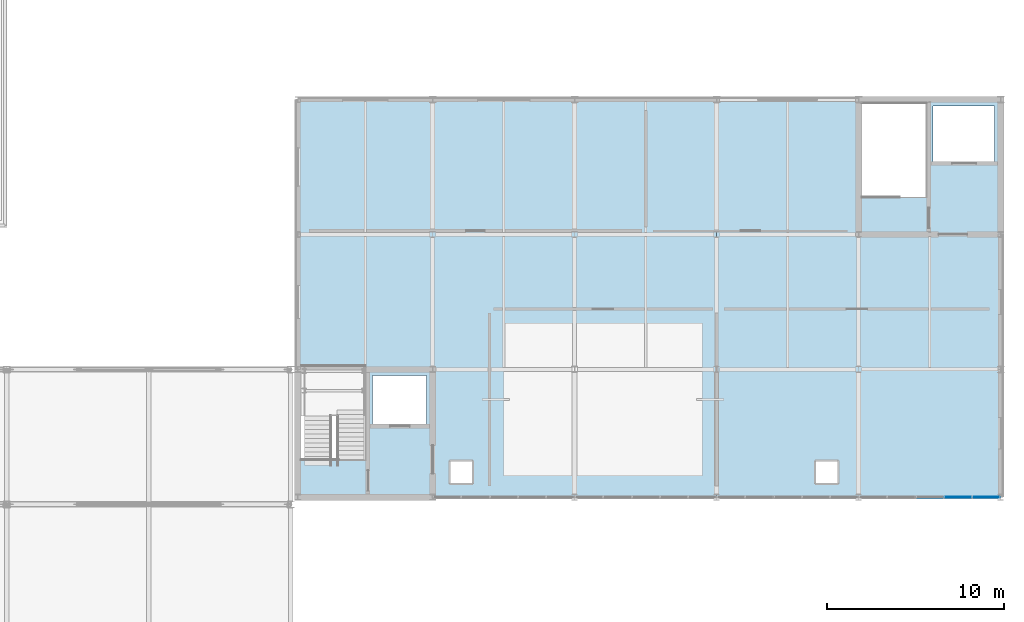
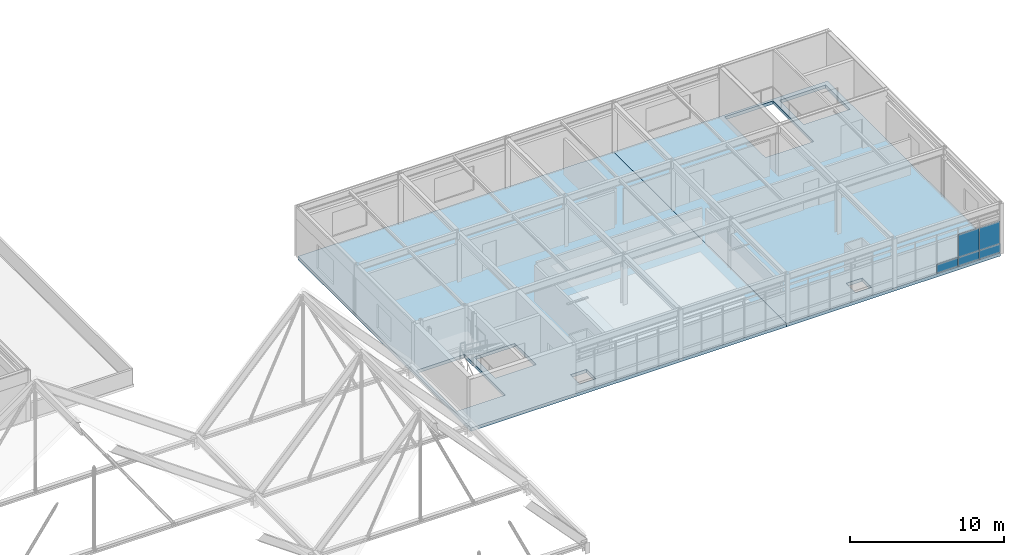
# One storey, part 63 of 85: 5 plates, 2 slabs, 1 element without a shape of its own.
"""IFC4 building model written with IfcOpenShell, lengths in metres."""

import ifcopenshell
import ifcopenshell.guid

model = None  # the IFC model being written
_history = None  # IfcOwnerHistory: only IFC2X3 demands one
_inside = {}  # id of a spatial element -> (the spatial element, [elements in it])
_under = {}  # id of a project, library or spatial element -> (it, [spatial elements below it])
_declared = {}  # id of a project -> (the project, [libraries it declares])
_typed = {}  # id of a type object -> (the type object, [elements of that type])
_made_of = {}  # id of a material, layer set ... -> (it, [elements and type objects made of it])


def new_model(schema):
    """Start an empty IFC model of exactly this schema.

    Asked for "IFC4X3", IfcOpenShell would pick the latest addendum, in which some entities
    have other attributes; the version numbers below select the first issue.
    IFC2X3 requires an IfcOwnerHistory on every rooted entity: one is made here for all.
    """
    global model, _history
    if schema == "IFC4X3":
        model = ifcopenshell.file(schema_version=(4, 3, 0, 0))
    else:
        model = ifcopenshell.file(schema=schema)
    _inside.clear()
    _under.clear()
    _declared.clear()
    _typed.clear()
    _made_of.clear()
    _history = None
    if model.schema == "IFC2X3":
        org = make("IfcOrganization", Name="unknown")
        user = make(
            "IfcPersonAndOrganization",
            ThePerson=make("IfcPerson", FamilyName="unknown"),
            TheOrganization=org,
        )
        app = make(
            "IfcApplication",
            ApplicationDeveloper=org,
            Version="unknown",
            ApplicationFullName="unknown",
            ApplicationIdentifier="unknown",
        )
        _history = make(
            "IfcOwnerHistory",
            OwningUser=user,
            OwningApplication=app,
            ChangeAction="ADDED",
            CreationDate=0,
        )
    return model


def make(cls, **values):
    """One entity of the class cls with the attributes given. An attribute that is None is left unset."""
    return model.create_entity(
        cls, **{name: value for name, value in values.items() if value is not None}
    )


def rooted(cls, **values):
    """An entity with a GlobalId (a new one), such as an element, a storey or a relation."""
    return make(cls, GlobalId=ifcopenshell.guid.new(), OwnerHistory=_history, **values)


def si_unit(unit_type, name, prefix=None):
    """IfcSIUnit, for example si_unit("LENGTHUNIT", "METRE", prefix="MILLI")."""
    return make("IfcSIUnit", UnitType=unit_type, Prefix=prefix, Name=name)


def assignment(units):
    """IfcUnitAssignment: the units of a project."""
    return None if units is None else make("IfcUnitAssignment", Units=units)


def point(xyz):
    """IfcCartesianPoint."""
    return None if xyz is None else make("IfcCartesianPoint", Coordinates=xyz)


def direction(xyz):
    """IfcDirection."""
    return None if xyz is None else make("IfcDirection", DirectionRatios=xyz)


def frame(location, z_axis=None, x_axis=None):
    """IfcAxis2Placement3D, a coordinate frame: its origin and axes. An axis left out is left unset."""
    return make(
        "IfcAxis2Placement3D",
        Location=point(location),
        Axis=direction(z_axis),
        RefDirection=direction(x_axis),
    )


def frame_2d(location, x_axis=None):
    """IfcAxis2Placement2D, a coordinate frame in the plane: its origin and x axis."""
    return make(
        "IfcAxis2Placement2D", Location=point(location), RefDirection=direction(x_axis)
    )


def origin():
    """The frame at (0, 0, 0) with its axes left unset."""
    return frame((0.0, 0.0, 0.0))


def origin_2d():
    """The frame at (0, 0) in the plane with its x axis left unset."""
    return frame_2d((0.0, 0.0))


def place(relative_to, where):
    """IfcLocalPlacement: puts the frame where relative to a parent placement (None: the world)."""
    return make(
        "IfcLocalPlacement", PlacementRelTo=relative_to, RelativePlacement=where
    )


def context(
    kind, dimensions, precision=None, world=None, true_north=None, identifier=None
):
    """IfcGeometricRepresentationContext, for example the 3D "Model" context."""
    return make(
        "IfcGeometricRepresentationContext",
        ContextIdentifier=identifier,
        ContextType=kind,
        CoordinateSpaceDimension=dimensions,
        Precision=precision,
        WorldCoordinateSystem=world,
        TrueNorth=true_north,
    )


def subcontext(parent, identifier, kind, view, scale=None):
    """IfcGeometricRepresentationSubContext, for example "Body" below "Model"."""
    return make(
        "IfcGeometricRepresentationSubContext",
        ContextIdentifier=identifier,
        ContextType=kind,
        ParentContext=parent,
        TargetScale=scale,
        TargetView=view,
    )


def project(units=None, contexts=None):
    """IfcProject with its units and contexts."""
    return rooted(
        "IfcProject",
        Name="project",
        RepresentationContexts=contexts,
        UnitsInContext=assignment(units),
    )


def spatial(cls, under=None, at=None, **own):
    """A site, building, storey or space (cls), placed at a placement, below another one or the project."""
    s = rooted(cls, ObjectPlacement=at, **own)
    if under is not None:
        _under.setdefault(under.id(), (under, []))[1].append(s)
    return s


def polyline(points):
    """IfcPolyline through the points."""
    return make("IfcPolyline", Points=[point(p) for p in points])


def profile(cls, at=None, kind="AREA", **sizes):
    """A parametric profile (cls). Its sizes go by their IFC names, for example OverallWidth=200.0."""
    return make(cls, ProfileType=kind, Position=at, **sizes)


def rectangle(**sizes):
    """IfcRectangleProfileDef."""
    return profile("IfcRectangleProfileDef", **sizes)


def outline(outer, holes=None, kind="AREA"):
    """IfcArbitraryClosedProfileDef: a profile drawn as a closed curve; with holes, ...WithVoids."""
    if holes is None:
        return make("IfcArbitraryClosedProfileDef", ProfileType=kind, OuterCurve=outer)
    return make(
        "IfcArbitraryProfileDefWithVoids",
        ProfileType=kind,
        OuterCurve=outer,
        InnerCurves=holes,
    )


def extrude(swept, where, along, depth):
    """IfcExtrudedAreaSolid: the profile swept, set in the frame where, extruded along a direction by depth."""
    return make(
        "IfcExtrudedAreaSolid",
        SweptArea=swept,
        Position=where,
        ExtrudedDirection=direction(along),
        Depth=depth,
    )


def shape(context_of_items, identifier, shape_type, items):
    """IfcShapeRepresentation: the items that make up one representation, for example the "Body"."""
    return make(
        "IfcShapeRepresentation",
        ContextOfItems=context_of_items,
        RepresentationIdentifier=identifier,
        RepresentationType=shape_type,
        Items=items,
    )


def material(Name=None, Category=None):
    """IfcMaterial."""
    return make("IfcMaterial", Name=Name, Category=Category)


def layer(
    of_material, thickness, ventilated=None, Name=None, Category=None, Priority=None
):
    """IfcMaterialLayer: one layer of a wall or slab, of a material (None: an air gap)."""
    return make(
        "IfcMaterialLayer",
        Material=of_material,
        LayerThickness=thickness,
        IsVentilated=ventilated,
        Name=Name,
        Category=Category,
        Priority=Priority,
    )


def layer_set(layers, Name=None):
    """IfcMaterialLayerSet."""
    return make("IfcMaterialLayerSet", MaterialLayers=layers, LayerSetName=Name)


def made_of(thing, what):
    """Note that an element or type object is made of a material, layer set ...; save() writes the relation."""
    if what is not None:
        _made_of.setdefault(what.id(), (what, []))[1].append(thing)
    return thing


def type_object(cls, material=None, **own):
    """A type object (cls), such as IfcWallType, which elements share."""
    return made_of(rooted(cls, **own), material)


def element(
    cls,
    number,
    at=None,
    inside=None,
    cuts=None,
    type_object=None,
    material=None,
    context=None,
    identifier="Body",
    shape_type=None,
    held_by="IfcProductDefinitionShape",
    body=None,
    shapes=None,
    **own,
):
    """One element of the class cls, such as IfcWall. Its Tag is "e" and its number.

    at: its placement. inside: the storey or other place that contains it. cuts: it is an
    opening in that element (IfcRelVoidsElement). A single representation is given by context,
    identifier, shape_type and body (its items); several are given by shapes. held_by: the class
    of the entity that holds the representations. save() writes the other relations.
    """
    e = rooted(cls, Tag="e%d" % number, ObjectPlacement=at, **own)
    if body is not None:
        shapes = [shape(context, identifier, shape_type, body)]
    if shapes is not None:
        e.Representation = make(held_by, Representations=shapes)
    if inside is not None:
        _inside.setdefault(inside.id(), (inside, []))[1].append(e)
    if cuts is not None:
        rooted(
            "IfcRelVoidsElement", RelatingBuildingElement=cuts, RelatedOpeningElement=e
        )
    if type_object is not None:
        _typed.setdefault(type_object.id(), (type_object, []))[1].append(e)
    return made_of(e, material)


def aggregate(whole, parts):
    """IfcRelAggregates: a whole, such as a stair, and the parts it consists of."""
    return rooted("IfcRelAggregates", RelatingObject=whole, RelatedObjects=parts)


def save(model, path):
    """Write the relations noted so far, then the file.

    IfcRelAggregates (storeys below a building ...), IfcRelContainedInSpatialStructure (elements
    in a storey), IfcRelDefinesByType, IfcRelAssociatesMaterial and IfcRelDeclares: one each for
    every whole, place, type object, material and project.
    """
    for whole, parts in _under.values():
        aggregate(whole, parts)
    for where, things in _inside.values():
        rooted(
            "IfcRelContainedInSpatialStructure",
            RelatedElements=things,
            RelatingStructure=where,
        )
    for kind, things in _typed.values():
        rooted("IfcRelDefinesByType", RelatedObjects=things, RelatingType=kind)
    for what, things in _made_of.values():
        rooted("IfcRelAssociatesMaterial", RelatedObjects=things, RelatingMaterial=what)
    for by, libraries in _declared.values():
        rooted("IfcRelDeclares", RelatingContext=by, RelatedDefinitions=libraries)
    model.write(path)


model = new_model("IFC4")

# Units and contexts
model_context = context("Model", 3, precision=1e-05, world=origin(), true_north=direction((0.0, 1.0)))
body_context = subcontext(model_context, "Body", "Model", "MODEL_VIEW")
ifc_project = project(units=[si_unit("LENGTHUNIT", "METRE"), si_unit("AREAUNIT", "SQUARE_METRE"), si_unit("VOLUMEUNIT", "CUBIC_METRE"), si_unit("PLANEANGLEUNIT", "RADIAN"), si_unit("MASSUNIT", "GRAM", prefix="KILO")], contexts=[model_context])

# Site, building, storey
site_placement = place(None, origin())
site = spatial("IfcSite", under=ifc_project, at=site_placement, CompositionType="ELEMENT")
building_placement = place(site_placement, origin())
building = spatial("IfcBuilding", under=site, at=building_placement, Name="Zulena Civic Courthouse", CompositionType="ELEMENT")
storey_placement = place(building_placement, frame((0.0, 0.0, 25.199951171875)))
storey = spatial("IfcBuildingStorey", under=building, at=storey_placement, Name="L05", CompositionType="ELEMENT", Elevation=25.199951171875)

# Slabs
ifc_material_1 = material(Name="Concrete C35/45", Category="concrete")
ifc_layer_1 = layer(ifc_material_1, 0.2548828125)
ifc_layer_set_1 = layer_set([ifc_layer_1], Name="Concrete C35/45")
slab_type = type_object("IfcSlabType", Name="ArchiveSlab_255", PredefinedType="FLOOR", material=ifc_layer_set_1)
slab_1_placement = place(storey_placement, frame((0.0, 0.0, -0.2548828125)))
element("IfcSlab", 1, at=slab_1_placement, inside=storey, type_object=slab_type, Name="slab:V3:L05_1", PredefinedType="FLOOR", context=body_context, shape_type="SweptSolid", body=[
    extrude(outline(polyline([(124.39990234375, 30.800048828125), (124.39990234375, 53.199951171875), (148.0, 53.199951171875), (148.0, 30.800048828125), (124.39990234375, 30.800048828125)]), holes=[polyline([(124.590087890625, 38.2099609375), (124.590087890625, 32.919921875), (128.2099609375, 32.919921875), (128.2099609375, 38.2099609375), (124.590087890625, 38.2099609375)]), polyline([(131.64990234375, 37.64990234375), (128.60009765625, 37.64990234375), (128.60009765625, 34.89990234375), (131.64990234375, 34.89990234375), (131.64990234375, 37.64990234375)]), polyline([(133.0, 32.800048828125), (133.0, 31.60009765625), (134.199951171875, 31.60009765625), (134.199951171875, 32.800048828125), (133.0, 32.800048828125)])]), origin(), (0.0, 0.0, 1.0), 0.2548828125),
])
slab_2_placement = place(storey_placement, frame((0.0, 0.0, -0.2548828125)))
element("IfcSlab", 2, at=slab_2_placement, inside=storey, type_object=slab_type, Name="slab:V3:L05_2", PredefinedType="FLOOR", context=body_context, shape_type="SweptSolid", body=[
    extrude(outline(polyline([(164.0, 30.800048828125), (148.0, 30.800048828125), (148.0, 53.199951171875), (164.0, 53.199951171875), (164.0, 30.800048828125)]), holes=[polyline([(159.81005859375, 47.719970703125), (159.81005859375, 53.010009765625), (156.18994140625, 53.010009765625), (156.18994140625, 47.719970703125), (159.81005859375, 47.719970703125)]), polyline([(160.199951171875, 49.699951171875), (163.64990234375, 49.699951171875), (163.64990234375, 52.85009765625), (160.199951171875, 52.85009765625), (160.199951171875, 49.699951171875)]), polyline([(154.800048828125, 32.800048828125), (153.60009765625, 32.800048828125), (153.60009765625, 31.60009765625), (154.800048828125, 31.60009765625), (154.800048828125, 32.800048828125)])]), origin(), (0.0, 0.0, 1.0), 0.2548828125),
])

# Curtain wall, plates
ifc_material_2 = material(Name="Double-silver low-E laminated solar-control glass", Category="glass")
curtain_wall_type = type_object("IfcCurtainWallType", Name="CW_7964x3090", PredefinedType="USERDEFINED", material=ifc_material_2)
curtain_wall_placement = place(storey_placement, origin())
curtain_wall = element("IfcCurtainWall", 3, at=curtain_wall_placement, inside=storey, type_object=curtain_wall_type, Name="cw:V3:L05:3:0", ObjectType="UNITISED CURTAIN WALL", PredefinedType="USERDEFINED")
ifc_material_3 = material(Name="Ceramic-fritted insulated spandrel glass", Category="glass")
ifc_layer_2 = layer(ifc_material_3, 0.0458984375)
ifc_layer_set_2 = layer_set([ifc_layer_2], Name="Ceramic-fritted insulated spandrel glass")
plate_type_1 = type_object("IfcPlateType", Name="CWPanel_Spandrel_46", PredefinedType="CURTAIN_PANEL", material=ifc_layer_set_2)
plate_1_placement = place(storey_placement, frame((163.185546875, 30.800048828125, 0.070068359375), z_axis=(0.0, 0.0, 1.0), x_axis=(-1.0, 0.0, 0.0)))
plate_1 = element("IfcPlate", 4, at=plate_1_placement, type_object=plate_type_1, Name="cw:V3:L05:3:0:panS:0", PredefinedType="CURTAIN_PANEL", context=body_context, shape_type="SweptSolid", body=[
    extrude(rectangle(XDim=1.54296875, YDim=0.0458984375, at=origin_2d()), origin(), (0.0, 0.0, 1.0), 0.669921875),
])
plate_2_placement = place(storey_placement, frame((161.5927734375, 30.800048828125, 0.070068359375), z_axis=(0.0, 0.0, 1.0), x_axis=(-1.0, 0.0, 0.0)))
plate_2 = element("IfcPlate", 5, at=plate_2_placement, type_object=plate_type_1, Name="cw:V3:L05:3:0:panS:1", PredefinedType="CURTAIN_PANEL", context=body_context, shape_type="SweptSolid", body=[
    extrude(rectangle(XDim=1.54296875, YDim=0.0458984375, at=origin_2d()), origin(), (0.0, 0.0, 1.0), 0.669921875),
])
plate_3_placement = place(storey_placement, frame((160.0, 30.800048828125, 0.070068359375), z_axis=(0.0, 0.0, 1.0), x_axis=(-1.0, 0.0, 0.0)))
plate_3 = element("IfcPlate", 6, at=plate_3_placement, type_object=plate_type_1, Name="cw:V3:L05:3:0:panS:2", PredefinedType="CURTAIN_PANEL", context=body_context, shape_type="SweptSolid", body=[
    extrude(rectangle(XDim=1.54296875, YDim=0.0458984375, at=origin_2d()), origin(), (0.0, 0.0, 1.0), 0.669921875),
])
ifc_layer_3 = layer(ifc_material_2, 0.035888671875)
ifc_layer_set_3 = layer_set([ifc_layer_3], Name="Double-silver low-E laminated solar-control glass")
plate_type_2 = type_object("IfcPlateType", Name="CWPanel_Vision_36", PredefinedType="CURTAIN_PANEL", material=ifc_layer_set_3)
plate_4_placement = place(storey_placement, frame((163.185546875, 30.800048828125, 0.760009765625), z_axis=(0.0, 0.0, 1.0), x_axis=(-1.0, 0.0, 0.0)))
plate_4 = element("IfcPlate", 7, at=plate_4_placement, type_object=plate_type_2, Name="cw:V3:L05:3:0:panV:0", PredefinedType="CURTAIN_PANEL", context=body_context, shape_type="SweptSolid", body=[
    extrude(rectangle(XDim=1.54296875, YDim=0.035888671875, at=origin_2d()), origin(), (0.0, 0.0, 1.0), 1.77001953125),
])
plate_5_placement = place(storey_placement, frame((161.5927734375, 30.800048828125, 0.760009765625), z_axis=(0.0, 0.0, 1.0), x_axis=(-1.0, 0.0, 0.0)))
plate_5 = element("IfcPlate", 8, at=plate_5_placement, type_object=plate_type_2, Name="cw:V3:L05:3:0:panV:1", PredefinedType="CURTAIN_PANEL", context=body_context, shape_type="SweptSolid", body=[
    extrude(rectangle(XDim=1.54296875, YDim=0.035888671875, at=origin_2d()), origin(), (0.0, 0.0, 1.0), 1.77001953125),
])
aggregate(curtain_wall, [plate_4, plate_1, plate_5, plate_2, plate_3])

save(model, "model.ifc")
